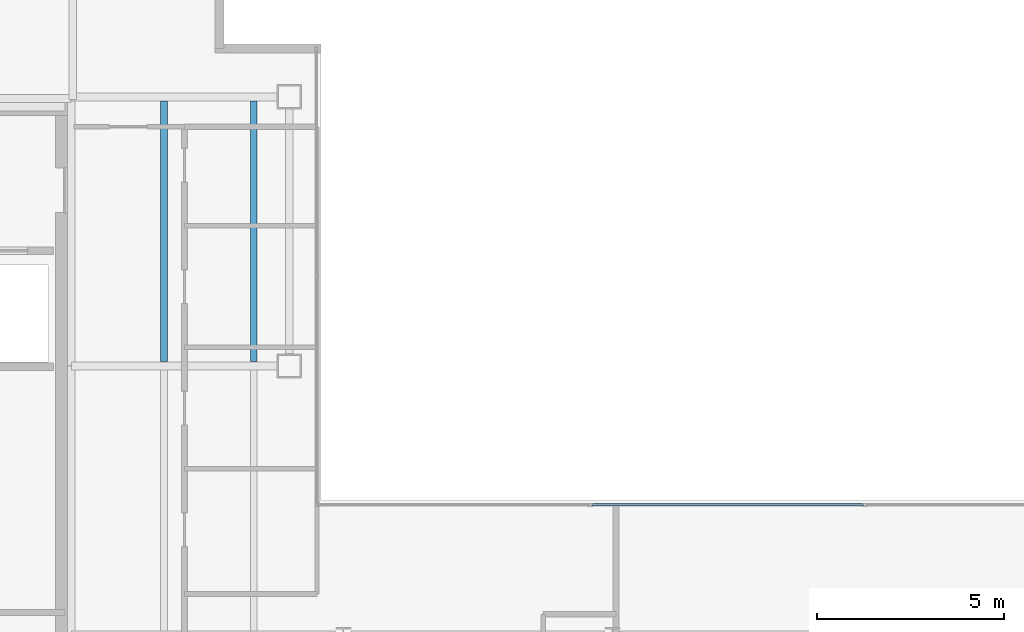
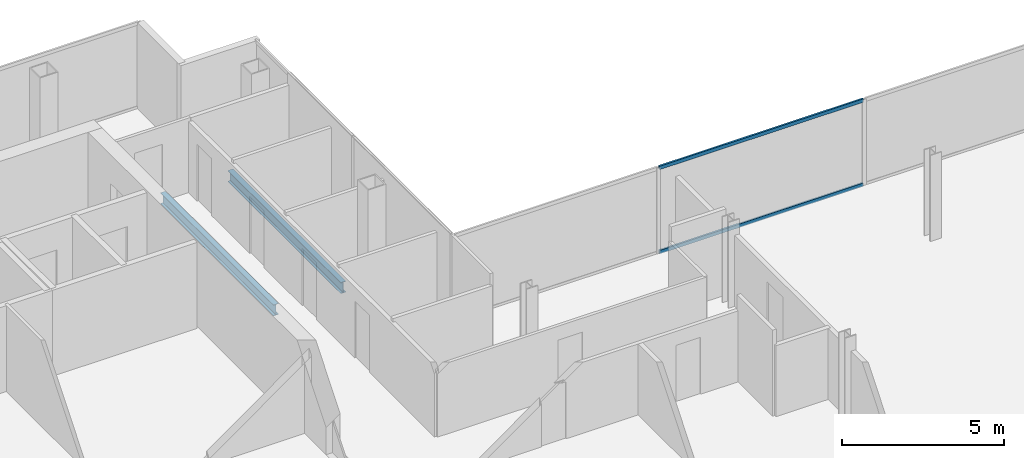
# One storey, part 10 of 23: 2 beams, 2 members, 1 element without a shape of its own.
"""IFC4 building model written with IfcOpenShell, lengths in metres."""

from ifc_helpers import new_model, si_unit, direction, frame, origin, origin_2d, place, context, subcontext, project, spatial, hollow_rectangle, i_section, extrude, material, material_profile, profile_set, type_object, element, aggregate, save


model = new_model("IFC4")

# Units and contexts
model_context = context("Model", 3, precision=1e-05, world=origin(), true_north=direction((0.0, 1.0)))
body_context = subcontext(model_context, "Body", "Model", "MODEL_VIEW")
ifc_project = project(units=[si_unit("LENGTHUNIT", "METRE"), si_unit("AREAUNIT", "SQUARE_METRE"), si_unit("VOLUMEUNIT", "CUBIC_METRE"), si_unit("PLANEANGLEUNIT", "RADIAN"), si_unit("MASSUNIT", "GRAM", prefix="KILO")], contexts=[model_context])

# Site, building, storey
site_placement = place(None, origin())
site = spatial("IfcSite", under=ifc_project, at=site_placement, CompositionType="ELEMENT")
building_placement = place(site_placement, origin())
building = spatial("IfcBuilding", under=site, at=building_placement, Name="Cobrela Telecom Tower", CompositionType="ELEMENT")
storey_placement = place(building_placement, frame((0.0, 0.0, 269.14990234375)))
storey = spatial("IfcBuildingStorey", under=building, at=storey_placement, Name="L70", CompositionType="ELEMENT", Elevation=269.14990234375)

# Beams
ifc_material_1 = material(Name="Steel ASTM A992 Grade 50", Category="steel")
ifc_material_profile_1 = material_profile(ifc_material_1, i_section(OverallWidth=0.179931640625, OverallDepth=0.4169921875, WebThickness=0.010986328125, FlangeThickness=0.01806640625, FilletRadius=0.011962890625, at=origin_2d()), Name="W16X57")
ifc_profile_set_1 = profile_set([ifc_material_profile_1], Name="Steel ASTM A992 Grade 50")
beam_type = type_object("IfcBeamType", Name="BM-JOIST-04", PredefinedType="JOIST", material=ifc_profile_set_1)
for number, where, z_axis, x_axis, name in (
    (1, (16.800048828125, 28.91162109375, -0.468505859375), (0.0, 1.0, 0.0), (-1.0, 0.0, 0.0), "L70 Secondary Composite Floor Beam J03"),
    (2, (19.199951171875, 28.91162109375, -0.468505859375), (0.0, 1.0, 0.0), (-1.0, 0.0, 0.0), "L70 Secondary Composite Floor Beam J06"),
):
    element("IfcBeam", number, at=place(storey_placement, frame(where, z_axis=z_axis, x_axis=x_axis)), inside=storey, type_object=beam_type, Name=name, PredefinedType="JOIST", context=body_context, shape_type="SweptSolid", body=[
        extrude(i_section(OverallWidth=0.179931640625, OverallDepth=0.4169921875, WebThickness=0.010986328125, FlangeThickness=0.01806640625, FilletRadius=0.011962890625, at=origin_2d()), origin(), (0.0, 0.0, 1.0), 6.976806640625),
    ])

# Curtain wall, members
ifc_material_2 = material(Name="Anodized Bronze Aluminium 6063-T6", Category="aluminium")
curtain_wall_type = type_object("IfcCurtainWallType", Name="CW-SYS-OFF-HI", PredefinedType="USERDEFINED", material=ifc_material_2)
curtain_wall_placement = place(storey_placement, origin())
curtain_wall = element("IfcCurtainWall", 3, at=curtain_wall_placement, inside=storey, type_object=curtain_wall_type, Name="L70 Unitised Bronze Curtain Wall 09", ObjectType="UNITISED CURTAIN WALL", PredefinedType="USERDEFINED")
ifc_material_profile_2 = material_profile(ifc_material_2, hollow_rectangle(XDim=0.06494140625, YDim=0.1298828125, WallThickness=0.00390625, at=origin_2d()), Name="ALU 65x130x4")
ifc_profile_set_2 = profile_set([ifc_material_profile_2], Name="Anodized Bronze Aluminium 6063-T6")
member_type = type_object("IfcMemberType", Name="CW-SYS-OFF-HI-TRN", PredefinedType="USERDEFINED", material=ifc_profile_set_2)
member_1_placement = place(storey_placement, frame((28.251708984375, 25.080078125, 0.03271484375), z_axis=(1.0, 0.0, 0.0), x_axis=(0.0, 1.0, 0.0)))
member_1 = element("IfcMember", 4, at=member_1_placement, type_object=member_type, Name="CW-OFF-HI transom 2.1", ObjectType="TRANSOM", PredefinedType="USERDEFINED", context=body_context, shape_type="SweptSolid", body=[
    extrude(hollow_rectangle(XDim=0.06494140625, YDim=0.1298828125, WallThickness=0.00390625, at=origin_2d()), origin(), (0.0, 0.0, 1.0), 7.2666015625),
])
member_2_placement = place(storey_placement, frame((28.251708984375, 25.080078125, 3.20751953125), z_axis=(1.0, 0.0, 0.0), x_axis=(0.0, 1.0, 0.0)))
member_2 = element("IfcMember", 5, at=member_2_placement, type_object=member_type, Name="CW-OFF-HI transom 2.2", ObjectType="TRANSOM", PredefinedType="USERDEFINED", context=body_context, shape_type="SweptSolid", body=[
    extrude(hollow_rectangle(XDim=0.06494140625, YDim=0.1298828125, WallThickness=0.00390625, at=origin_2d()), origin(), (0.0, 0.0, 1.0), 7.2666015625),
])
aggregate(curtain_wall, [member_1, member_2])

save(model, "model.ifc")
